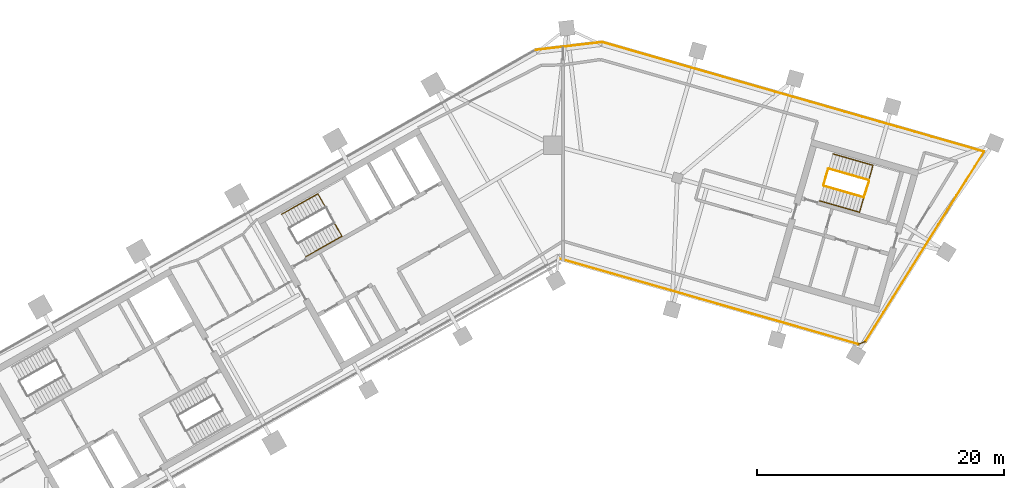
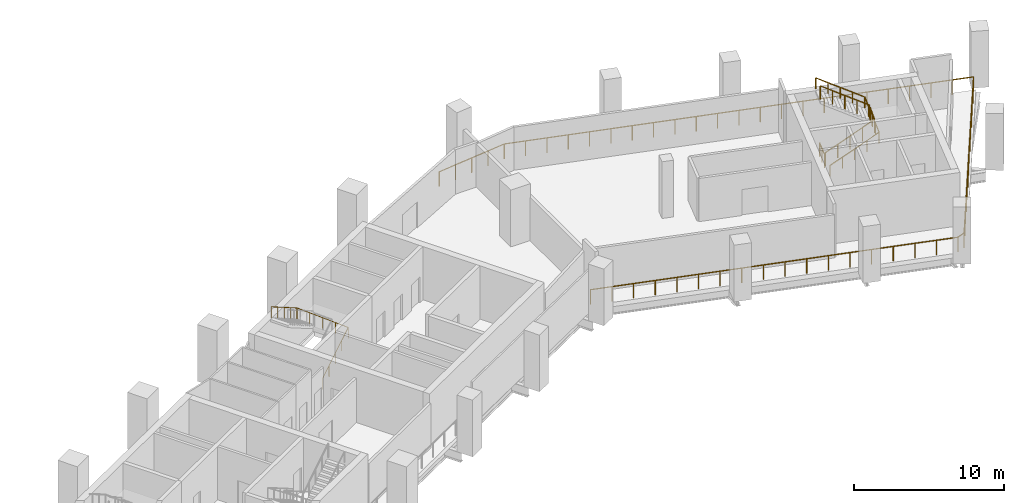
# One storey, part 8 of 8: 10 railings.
"""IFC4 building model written with IfcOpenShell, lengths in metres."""

import ifcopenshell
import ifcopenshell.guid

model = None  # the IFC model being written
_history = None  # IfcOwnerHistory: only IFC2X3 demands one
_inside = {}  # id of a spatial element -> (the spatial element, [elements in it])
_under = {}  # id of a project, library or spatial element -> (it, [spatial elements below it])
_declared = {}  # id of a project -> (the project, [libraries it declares])
_typed = {}  # id of a type object -> (the type object, [elements of that type])
_made_of = {}  # id of a material, layer set ... -> (it, [elements and type objects made of it])


def new_model(schema):
    """Start an empty IFC model of exactly this schema.

    Asked for "IFC4X3", IfcOpenShell would pick the latest addendum, in which some entities
    have other attributes; the version numbers below select the first issue.
    IFC2X3 requires an IfcOwnerHistory on every rooted entity: one is made here for all.
    """
    global model, _history
    if schema == "IFC4X3":
        model = ifcopenshell.file(schema_version=(4, 3, 0, 0))
    else:
        model = ifcopenshell.file(schema=schema)
    _inside.clear()
    _under.clear()
    _declared.clear()
    _typed.clear()
    _made_of.clear()
    _history = None
    if model.schema == "IFC2X3":
        org = make("IfcOrganization", Name="unknown")
        user = make(
            "IfcPersonAndOrganization",
            ThePerson=make("IfcPerson", FamilyName="unknown"),
            TheOrganization=org,
        )
        app = make(
            "IfcApplication",
            ApplicationDeveloper=org,
            Version="unknown",
            ApplicationFullName="unknown",
            ApplicationIdentifier="unknown",
        )
        _history = make(
            "IfcOwnerHistory",
            OwningUser=user,
            OwningApplication=app,
            ChangeAction="ADDED",
            CreationDate=0,
        )
    return model


def make(cls, **values):
    """One entity of the class cls with the attributes given. An attribute that is None is left unset."""
    return model.create_entity(
        cls, **{name: value for name, value in values.items() if value is not None}
    )


def rooted(cls, **values):
    """An entity with a GlobalId (a new one), such as an element, a storey or a relation."""
    return make(cls, GlobalId=ifcopenshell.guid.new(), OwnerHistory=_history, **values)


def si_unit(unit_type, name, prefix=None):
    """IfcSIUnit, for example si_unit("LENGTHUNIT", "METRE", prefix="MILLI")."""
    return make("IfcSIUnit", UnitType=unit_type, Prefix=prefix, Name=name)


def assignment(units):
    """IfcUnitAssignment: the units of a project."""
    return None if units is None else make("IfcUnitAssignment", Units=units)


def point(xyz):
    """IfcCartesianPoint."""
    return None if xyz is None else make("IfcCartesianPoint", Coordinates=xyz)


def direction(xyz):
    """IfcDirection."""
    return None if xyz is None else make("IfcDirection", DirectionRatios=xyz)


def frame(location, z_axis=None, x_axis=None):
    """IfcAxis2Placement3D, a coordinate frame: its origin and axes. An axis left out is left unset."""
    return make(
        "IfcAxis2Placement3D",
        Location=point(location),
        Axis=direction(z_axis),
        RefDirection=direction(x_axis),
    )


def frame_2d(location, x_axis=None):
    """IfcAxis2Placement2D, a coordinate frame in the plane: its origin and x axis."""
    return make(
        "IfcAxis2Placement2D", Location=point(location), RefDirection=direction(x_axis)
    )


def origin():
    """The frame at (0, 0, 0) with its axes left unset."""
    return frame((0.0, 0.0, 0.0))


def origin_2d():
    """The frame at (0, 0) in the plane with its x axis left unset."""
    return frame_2d((0.0, 0.0))


def place(relative_to, where):
    """IfcLocalPlacement: puts the frame where relative to a parent placement (None: the world)."""
    return make(
        "IfcLocalPlacement", PlacementRelTo=relative_to, RelativePlacement=where
    )


def context(
    kind, dimensions, precision=None, world=None, true_north=None, identifier=None
):
    """IfcGeometricRepresentationContext, for example the 3D "Model" context."""
    return make(
        "IfcGeometricRepresentationContext",
        ContextIdentifier=identifier,
        ContextType=kind,
        CoordinateSpaceDimension=dimensions,
        Precision=precision,
        WorldCoordinateSystem=world,
        TrueNorth=true_north,
    )


def subcontext(parent, identifier, kind, view, scale=None):
    """IfcGeometricRepresentationSubContext, for example "Body" below "Model"."""
    return make(
        "IfcGeometricRepresentationSubContext",
        ContextIdentifier=identifier,
        ContextType=kind,
        ParentContext=parent,
        TargetScale=scale,
        TargetView=view,
    )


def project(units=None, contexts=None):
    """IfcProject with its units and contexts."""
    return rooted(
        "IfcProject",
        Name="project",
        RepresentationContexts=contexts,
        UnitsInContext=assignment(units),
    )


def spatial(cls, under=None, at=None, **own):
    """A site, building, storey or space (cls), placed at a placement, below another one or the project."""
    s = rooted(cls, ObjectPlacement=at, **own)
    if under is not None:
        _under.setdefault(under.id(), (under, []))[1].append(s)
    return s


def profile(cls, at=None, kind="AREA", **sizes):
    """A parametric profile (cls). Its sizes go by their IFC names, for example OverallWidth=200.0."""
    return make(cls, ProfileType=kind, Position=at, **sizes)


def circle(**sizes):
    """IfcCircleProfileDef."""
    return profile("IfcCircleProfileDef", **sizes)


def extrude(swept, where, along, depth):
    """IfcExtrudedAreaSolid: the profile swept, set in the frame where, extruded along a direction by depth."""
    return make(
        "IfcExtrudedAreaSolid",
        SweptArea=swept,
        Position=where,
        ExtrudedDirection=direction(along),
        Depth=depth,
    )


def shape(context_of_items, identifier, shape_type, items):
    """IfcShapeRepresentation: the items that make up one representation, for example the "Body"."""
    return make(
        "IfcShapeRepresentation",
        ContextOfItems=context_of_items,
        RepresentationIdentifier=identifier,
        RepresentationType=shape_type,
        Items=items,
    )


def material(Name=None, Category=None):
    """IfcMaterial."""
    return make("IfcMaterial", Name=Name, Category=Category)


def made_of(thing, what):
    """Note that an element or type object is made of a material, layer set ...; save() writes the relation."""
    if what is not None:
        _made_of.setdefault(what.id(), (what, []))[1].append(thing)
    return thing


def type_object(cls, material=None, **own):
    """A type object (cls), such as IfcWallType, which elements share."""
    return made_of(rooted(cls, **own), material)


def element(
    cls,
    number,
    at=None,
    inside=None,
    cuts=None,
    type_object=None,
    material=None,
    context=None,
    identifier="Body",
    shape_type=None,
    held_by="IfcProductDefinitionShape",
    body=None,
    shapes=None,
    **own,
):
    """One element of the class cls, such as IfcWall. Its Tag is "e" and its number.

    at: its placement. inside: the storey or other place that contains it. cuts: it is an
    opening in that element (IfcRelVoidsElement). A single representation is given by context,
    identifier, shape_type and body (its items); several are given by shapes. held_by: the class
    of the entity that holds the representations. save() writes the other relations.
    """
    e = rooted(cls, Tag="e%d" % number, ObjectPlacement=at, **own)
    if body is not None:
        shapes = [shape(context, identifier, shape_type, body)]
    if shapes is not None:
        e.Representation = make(held_by, Representations=shapes)
    if inside is not None:
        _inside.setdefault(inside.id(), (inside, []))[1].append(e)
    if cuts is not None:
        rooted(
            "IfcRelVoidsElement", RelatingBuildingElement=cuts, RelatedOpeningElement=e
        )
    if type_object is not None:
        _typed.setdefault(type_object.id(), (type_object, []))[1].append(e)
    return made_of(e, material)


def aggregate(whole, parts):
    """IfcRelAggregates: a whole, such as a stair, and the parts it consists of."""
    return rooted("IfcRelAggregates", RelatingObject=whole, RelatedObjects=parts)


def save(model, path):
    """Write the relations noted so far, then the file.

    IfcRelAggregates (storeys below a building ...), IfcRelContainedInSpatialStructure (elements
    in a storey), IfcRelDefinesByType, IfcRelAssociatesMaterial and IfcRelDeclares: one each for
    every whole, place, type object, material and project.
    """
    for whole, parts in _under.values():
        aggregate(whole, parts)
    for where, things in _inside.values():
        rooted(
            "IfcRelContainedInSpatialStructure",
            RelatedElements=things,
            RelatingStructure=where,
        )
    for kind, things in _typed.values():
        rooted("IfcRelDefinesByType", RelatedObjects=things, RelatingType=kind)
    for what, things in _made_of.values():
        rooted("IfcRelAssociatesMaterial", RelatedObjects=things, RelatingMaterial=what)
    for by, libraries in _declared.values():
        rooted("IfcRelDeclares", RelatingContext=by, RelatedDefinitions=libraries)
    model.write(path)


model = new_model("IFC4")

# Units and contexts
model_context = context("Model", 3, precision=1e-05, world=origin(), true_north=direction((0.0, 1.0)))
body_context = subcontext(model_context, "Body", "Model", "MODEL_VIEW")
ifc_project = project(units=[si_unit("LENGTHUNIT", "METRE"), si_unit("AREAUNIT", "SQUARE_METRE"), si_unit("VOLUMEUNIT", "CUBIC_METRE"), si_unit("PLANEANGLEUNIT", "RADIAN"), si_unit("MASSUNIT", "GRAM", prefix="KILO")], contexts=[model_context])

# Site, building, storey
site_placement = place(None, origin())
site = spatial("IfcSite", under=ifc_project, at=site_placement, CompositionType="ELEMENT")
building_placement = place(site_placement, origin())
building = spatial("IfcBuilding", under=site, at=building_placement, Name="Binnacle Exchange Tower", CompositionType="ELEMENT")
storey_placement = place(building_placement, frame((0.0, 0.0, 202.89990234375)))
storey = spatial("IfcBuildingStorey", under=building, at=storey_placement, Name="L44", CompositionType="ELEMENT", Elevation=202.89990234375)

# Railings
ifc_material_1 = material(Name="Bronze anodised aluminium frame", Category="aluminium")
railing_type_1 = type_object("IfcRailingType", Name="GUARD 1200", PredefinedType="GUARDRAIL", material=ifc_material_1)
railing_1_placement = place(storey_placement, frame((-2.205322265625, 67.70751953125, 0.0)))
element("IfcRailing", 1, at=railing_1_placement, inside=storey, type_object=railing_type_1, Name="Slab edge guard 3 L44", PredefinedType="GUARDRAIL", context=body_context, shape_type="SweptSolid", body=[
    extrude(circle(Radius=0.02392578125, at=origin_2d()), frame((0.0, 0.0, 1.17578125), z_axis=(0.993065925604, 0.117558782763, 0.0), x_axis=(-0.117558782763, 0.993065925604, 0.0)), (0.0, 0.0, 1.0), 5.38916015625),
    extrude(circle(Radius=0.02099609375, at=origin_2d()), origin(), (0.0, 0.0, 1.0), 1.15185546875),
    extrude(circle(Radius=0.02099609375, at=origin_2d()), frame((1.337890625, 0.158447265625, 0.0)), (0.0, 0.0, 1.0), 1.15185546875),
    extrude(circle(Radius=0.02099609375, at=origin_2d()), frame((2.67578125, 0.31689453125, 0.0)), (0.0, 0.0, 1.0), 1.15185546875),
    extrude(circle(Radius=0.02099609375, at=origin_2d()), frame((4.013916015625, 0.47509765625, 0.0)), (0.0, 0.0, 1.0), 1.15185546875),
    extrude(circle(Radius=0.02099609375, at=origin_2d()), frame((5.351806640625, 0.633544921875, 0.0)), (0.0, 0.0, 1.0), 1.15185546875),
])
railing_2_placement = place(storey_placement, frame((3.146484375, 68.341064453125, 0.0)))
element("IfcRailing", 2, at=railing_2_placement, inside=storey, type_object=railing_type_1, Name="Slab edge guard 4 L44", PredefinedType="GUARDRAIL", context=body_context, shape_type="SweptSolid", body=[
    extrude(circle(Radius=0.02392578125, at=origin_2d()), frame((0.0, 0.0, 1.17578125), z_axis=(0.96126066712, -0.275640943708, 0.0), x_axis=(0.275640943708, 0.96126066712, 0.0)), (0.0, 0.0, 1.0), 32.141845703125),
    extrude(circle(Radius=0.02099609375, at=origin_2d()), origin(), (0.0, 0.0, 1.0), 1.15185546875),
    extrude(circle(Radius=0.02099609375, at=origin_2d()), frame((1.404296875, -0.40283203125, 0.0)), (0.0, 0.0, 1.0), 1.15185546875),
    extrude(circle(Radius=0.02099609375, at=origin_2d()), frame((2.808837890625, -0.805419921875, 0.0)), (0.0, 0.0, 1.0), 1.15185546875),
    extrude(circle(Radius=0.02099609375, at=origin_2d()), frame((4.213134765625, -1.2080078125, 0.0)), (0.0, 0.0, 1.0), 1.15185546875),
    extrude(circle(Radius=0.02099609375, at=origin_2d()), frame((5.61767578125, -1.61083984375, 0.0)), (0.0, 0.0, 1.0), 1.15185546875),
    extrude(circle(Radius=0.02099609375, at=origin_2d()), frame((7.02197265625, -2.013671875, 0.0)), (0.0, 0.0, 1.0), 1.15185546875),
    extrude(circle(Radius=0.02099609375, at=origin_2d()), frame((8.42626953125, -2.416259765625, 0.0)), (0.0, 0.0, 1.0), 1.15185546875),
    extrude(circle(Radius=0.02099609375, at=origin_2d()), frame((9.830810546875, -2.81884765625, 0.0)), (0.0, 0.0, 1.0), 1.15185546875),
    extrude(circle(Radius=0.02099609375, at=origin_2d()), frame((11.235107421875, -3.2216796875, 0.0)), (0.0, 0.0, 1.0), 1.15185546875),
    extrude(circle(Radius=0.02099609375, at=origin_2d()), frame((12.6396484375, -3.62451171875, 0.0)), (0.0, 0.0, 1.0), 1.15185546875),
    extrude(circle(Radius=0.02099609375, at=origin_2d()), frame((14.0439453125, -4.027099609375, 0.0)), (0.0, 0.0, 1.0), 1.15185546875),
    extrude(circle(Radius=0.02099609375, at=origin_2d()), frame((15.4482421875, -4.4296875, 0.0)), (0.0, 0.0, 1.0), 1.15185546875),
    extrude(circle(Radius=0.02099609375, at=origin_2d()), frame((16.852783203125, -4.83251953125, 0.0)), (0.0, 0.0, 1.0), 1.15185546875),
    extrude(circle(Radius=0.02099609375, at=origin_2d()), frame((18.257080078125, -5.2353515625, 0.0)), (0.0, 0.0, 1.0), 1.15185546875),
    extrude(circle(Radius=0.02099609375, at=origin_2d()), frame((19.66162109375, -5.637939453125, 0.0)), (0.0, 0.0, 1.0), 1.15185546875),
    extrude(circle(Radius=0.02099609375, at=origin_2d()), frame((21.06591796875, -6.04052734375, 0.0)), (0.0, 0.0, 1.0), 1.15185546875),
    extrude(circle(Radius=0.02099609375, at=origin_2d()), frame((22.470458984375, -6.443359375, 0.0)), (0.0, 0.0, 1.0), 1.15185546875),
    extrude(circle(Radius=0.02099609375, at=origin_2d()), frame((23.874755859375, -6.84619140625, 0.0)), (0.0, 0.0, 1.0), 1.15185546875),
    extrude(circle(Radius=0.02099609375, at=origin_2d()), frame((25.279052734375, -7.248779296875, 0.0)), (0.0, 0.0, 1.0), 1.15185546875),
    extrude(circle(Radius=0.02099609375, at=origin_2d()), frame((26.68359375, -7.6513671875, 0.0)), (0.0, 0.0, 1.0), 1.15185546875),
    extrude(circle(Radius=0.02099609375, at=origin_2d()), frame((28.087890625, -8.05419921875, 0.0)), (0.0, 0.0, 1.0), 1.15185546875),
    extrude(circle(Radius=0.02099609375, at=origin_2d()), frame((29.492431640625, -8.45703125, 0.0)), (0.0, 0.0, 1.0), 1.15185546875),
    extrude(circle(Radius=0.02099609375, at=origin_2d()), frame((30.896728515625, -8.859619140625, 0.0)), (0.0, 0.0, 1.0), 1.15185546875),
])
railing_3_placement = place(storey_placement, frame((34.043212890625, 59.4814453125, 0.0)))
element("IfcRailing", 3, at=railing_3_placement, inside=storey, type_object=railing_type_1, Name="Slab edge guard 5 L44", PredefinedType="GUARDRAIL", context=body_context, shape_type="SweptSolid", body=[
    extrude(circle(Radius=0.02392578125, at=origin_2d()), frame((0.0, 0.0, 1.17578125), z_axis=(-0.529910412332, -0.848053627374, 0.0), x_axis=(0.848053627374, -0.529910412332, 0.0)), (0.0, 0.0, 1.0), 18.0966796875),
    extrude(circle(Radius=0.02099609375, at=origin_2d()), origin(), (0.0, 0.0, 1.0), 1.15185546875),
    extrude(circle(Radius=0.02099609375, at=origin_2d()), frame((-0.737548828125, -1.180419921875, 0.0)), (0.0, 0.0, 1.0), 1.15185546875),
    extrude(circle(Radius=0.02099609375, at=origin_2d()), frame((-1.475341796875, -2.361083984375, 0.0)), (0.0, 0.0, 1.0), 1.15185546875),
    extrude(circle(Radius=0.02099609375, at=origin_2d()), frame((-2.212890625, -3.54150390625, 0.0)), (0.0, 0.0, 1.0), 1.15185546875),
    extrude(circle(Radius=0.02099609375, at=origin_2d()), frame((-2.95068359375, -4.72216796875, 0.0)), (0.0, 0.0, 1.0), 1.15185546875),
    extrude(circle(Radius=0.02099609375, at=origin_2d()), frame((-3.688232421875, -5.902587890625, 0.0)), (0.0, 0.0, 1.0), 1.15185546875),
    extrude(circle(Radius=0.02099609375, at=origin_2d()), frame((-4.426025390625, -7.083251953125, 0.0)), (0.0, 0.0, 1.0), 1.15185546875),
    extrude(circle(Radius=0.02099609375, at=origin_2d()), frame((-5.16357421875, -8.263671875, 0.0)), (0.0, 0.0, 1.0), 1.15185546875),
    extrude(circle(Radius=0.02099609375, at=origin_2d()), frame((-5.9013671875, -9.4443359375, 0.0)), (0.0, 0.0, 1.0), 1.15185546875),
    extrude(circle(Radius=0.02099609375, at=origin_2d()), frame((-6.638916015625, -10.624755859375, 0.0)), (0.0, 0.0, 1.0), 1.15185546875),
    extrude(circle(Radius=0.02099609375, at=origin_2d()), frame((-7.376708984375, -11.805419921875, 0.0)), (0.0, 0.0, 1.0), 1.15185546875),
    extrude(circle(Radius=0.02099609375, at=origin_2d()), frame((-8.1142578125, -12.98583984375, 0.0)), (0.0, 0.0, 1.0), 1.15185546875),
    extrude(circle(Radius=0.02099609375, at=origin_2d()), frame((-8.85205078125, -14.16650390625, 0.0)), (0.0, 0.0, 1.0), 1.15185546875),
    extrude(circle(Radius=0.02099609375, at=origin_2d()), frame((-9.589599609375, -15.346923828125, 0.0)), (0.0, 0.0, 1.0), 1.15185546875),
])
railing_4_placement = place(storey_placement, frame((24.45361328125, 44.134521484375, 0.0)))
element("IfcRailing", 4, at=railing_4_placement, inside=storey, type_object=railing_type_1, Name="Slab edge guard 6 L44", PredefinedType="GUARDRAIL", context=body_context, shape_type="SweptSolid", body=[
    extrude(circle(Radius=0.02392578125, at=origin_2d()), frame((0.0, 0.0, 1.17578125), z_axis=(-0.933708977227, -0.35803288375, 0.0), x_axis=(0.35803288375, -0.933708977227, 0.0)), (0.0, 0.0, 1.0), 0.62255859375),
    extrude(circle(Radius=0.02099609375, at=origin_2d()), origin(), (0.0, 0.0, 1.0), 1.15185546875),
    extrude(circle(Radius=0.02099609375, at=origin_2d()), frame((-0.581298828125, -0.222900390625, 0.0)), (0.0, 0.0, 1.0), 1.15185546875),
])
railing_5_placement = place(storey_placement, frame((23.872314453125, 43.91162109375, 0.0)))
element("IfcRailing", 5, at=railing_5_placement, inside=storey, type_object=railing_type_1, Name="Slab edge guard 7 L44", PredefinedType="GUARDRAIL", context=body_context, shape_type="SweptSolid", body=[
    extrude(circle(Radius=0.02392578125, at=origin_2d()), frame((0.0, 0.0, 1.17578125), z_axis=(-0.961264537007, 0.27562744764, 0.0), x_axis=(-0.27562744764, -0.961264537007, 0.0)), (0.0, 0.0, 1.0), 25.185791015625),
    extrude(circle(Radius=0.02099609375, at=origin_2d()), origin(), (0.0, 0.0, 1.0), 1.15185546875),
    extrude(circle(Radius=0.02099609375, at=origin_2d()), frame((-1.424072265625, 0.408447265625, 0.0)), (0.0, 0.0, 1.0), 1.15185546875),
    extrude(circle(Radius=0.02099609375, at=origin_2d()), frame((-2.84814453125, 0.816650390625, 0.0)), (0.0, 0.0, 1.0), 1.15185546875),
    extrude(circle(Radius=0.02099609375, at=origin_2d()), frame((-4.2724609375, 1.22509765625, 0.0)), (0.0, 0.0, 1.0), 1.15185546875),
    extrude(circle(Radius=0.02099609375, at=origin_2d()), frame((-5.696533203125, 1.63330078125, 0.0)), (0.0, 0.0, 1.0), 1.15185546875),
    extrude(circle(Radius=0.02099609375, at=origin_2d()), frame((-7.12060546875, 2.041748046875, 0.0)), (0.0, 0.0, 1.0), 1.15185546875),
    extrude(circle(Radius=0.02099609375, at=origin_2d()), frame((-8.544677734375, 2.4501953125, 0.0)), (0.0, 0.0, 1.0), 1.15185546875),
    extrude(circle(Radius=0.02099609375, at=origin_2d()), frame((-9.968994140625, 2.8583984375, 0.0)), (0.0, 0.0, 1.0), 1.15185546875),
    extrude(circle(Radius=0.02099609375, at=origin_2d()), frame((-11.39306640625, 3.266845703125, 0.0)), (0.0, 0.0, 1.0), 1.15185546875),
    extrude(circle(Radius=0.02099609375, at=origin_2d()), frame((-12.817138671875, 3.675048828125, 0.0)), (0.0, 0.0, 1.0), 1.15185546875),
    extrude(circle(Radius=0.02099609375, at=origin_2d()), frame((-14.2412109375, 4.08349609375, 0.0)), (0.0, 0.0, 1.0), 1.15185546875),
    extrude(circle(Radius=0.02099609375, at=origin_2d()), frame((-15.66552734375, 4.49169921875, 0.0)), (0.0, 0.0, 1.0), 1.15185546875),
    extrude(circle(Radius=0.02099609375, at=origin_2d()), frame((-17.089599609375, 4.900146484375, 0.0)), (0.0, 0.0, 1.0), 1.15185546875),
    extrude(circle(Radius=0.02099609375, at=origin_2d()), frame((-18.513671875, 5.30859375, 0.0)), (0.0, 0.0, 1.0), 1.15185546875),
    extrude(circle(Radius=0.02099609375, at=origin_2d()), frame((-19.937744140625, 5.716796875, 0.0)), (0.0, 0.0, 1.0), 1.15185546875),
    extrude(circle(Radius=0.02099609375, at=origin_2d()), frame((-21.362060546875, 6.125244140625, 0.0)), (0.0, 0.0, 1.0), 1.15185546875),
    extrude(circle(Radius=0.02099609375, at=origin_2d()), frame((-22.7861328125, 6.533447265625, 0.0)), (0.0, 0.0, 1.0), 1.15185546875),
    extrude(circle(Radius=0.02099609375, at=origin_2d()), frame((-24.210205078125, 6.94189453125, 0.0)), (0.0, 0.0, 1.0), 1.15185546875),
])
ifc_material_2 = material(Name="Steel guard rail", Category="steel")
railing_type_2 = type_object("IfcRailingType", Name="STAIR GUARD 1100", PredefinedType="GUARDRAIL", material=ifc_material_2)
railing_6_placement = place(storey_placement, frame((21.086669921875, 56.71044921875, 0.177001953125)))
element("IfcRailing", 6, at=railing_6_placement, inside=storey, type_object=railing_type_2, Name="L44 STD1 stair guard 1", PredefinedType="GUARDRAIL", context=body_context, shape_type="SweptSolid", body=[
    extrude(circle(Radius=0.02392578125, at=origin_2d()), frame((0.0, 0.0, 1.076171875), z_axis=(0.812618363389, -0.233054204452, 0.534169573515), x_axis=(0.27568068152, 0.961249271436, 0.0)), (0.0, 0.0, 1.0), 3.974365234375),
    extrude(circle(Radius=0.02392578125, at=origin_2d()), frame((3.229736328125, -0.92626953125, 3.19921875), z_axis=(0.309842533299, 0.950787886208, 0.0), x_axis=(-0.950787886208, 0.309842533299, 0.0)), (0.0, 0.0, 1.0), 1.40087890625),
    extrude(circle(Radius=0.02099609375, at=origin_2d()), origin(), (0.0, 0.0, 1.0), 1.052001953125),
    extrude(circle(Radius=0.02099609375, at=origin_2d()), frame((0.807373046875, -0.2314453125, 0.53076171875)), (0.0, 0.0, 1.0), 1.052001953125),
    extrude(circle(Radius=0.02099609375, at=origin_2d()), frame((1.61474609375, -0.463134765625, 1.0615234375)), (0.0, 0.0, 1.0), 1.052001953125),
    extrude(circle(Radius=0.02099609375, at=origin_2d()), frame((2.42236328125, -0.69482421875, 1.59228515625)), (0.0, 0.0, 1.0), 1.052001953125),
    extrude(circle(Radius=0.02099609375, at=origin_2d()), frame((3.229736328125, -0.92626953125, 2.123046875)), (0.0, 0.0, 1.0), 1.052001953125),
    extrude(circle(Radius=0.02099609375, at=origin_2d()), frame((3.44677734375, -0.26025390625, 2.123046875)), (0.0, 0.0, 1.0), 1.052001953125),
    extrude(circle(Radius=0.02099609375, at=origin_2d()), frame((3.663818359375, 0.40576171875, 2.123046875)), (0.0, 0.0, 1.0), 1.052001953125),
])
railing_7_placement = place(storey_placement, frame((24.716064453125, 57.177978515625, 2.47705078125)))
element("IfcRailing", 7, at=railing_7_placement, inside=storey, type_object=railing_type_2, Name="L44 STD1 stair guard 2", PredefinedType="GUARDRAIL", context=body_context, shape_type="SweptSolid", body=[
    extrude(circle(Radius=0.02392578125, at=origin_2d()), frame((0.0, 0.0, 1.076171875), z_axis=(-0.812618363389, 0.233054204452, 0.534169573515), x_axis=(-0.27568068152, -0.961249271436, 0.0)), (0.0, 0.0, 1.0), 3.974365234375),
    extrude(circle(Radius=0.02099609375, at=origin_2d()), origin(), (0.0, 0.0, 1.0), 1.052001953125),
    extrude(circle(Radius=0.02099609375, at=origin_2d()), frame((-0.807373046875, 0.2314453125, 0.53076171875)), (0.0, 0.0, 1.0), 1.052001953125),
    extrude(circle(Radius=0.02099609375, at=origin_2d()), frame((-1.61474609375, 0.463134765625, 1.0615234375)), (0.0, 0.0, 1.0), 1.052001953125),
    extrude(circle(Radius=0.02099609375, at=origin_2d()), frame((-2.42236328125, 0.69482421875, 1.59228515625)), (0.0, 0.0, 1.0), 1.052001953125),
    extrude(circle(Radius=0.02099609375, at=origin_2d()), frame((-3.229736328125, 0.92626953125, 2.123046875)), (0.0, 0.0, 1.0), 1.052001953125),
])
railing_8_placement = place(storey_placement, frame((21.05224609375, 56.772216796875, 0.0)))
element("IfcRailing", 8, at=railing_8_placement, inside=storey, type_object=railing_type_2, Name="L44 STD1 stair guard 3", PredefinedType="GUARDRAIL", context=body_context, shape_type="SweptSolid", body=[
    extrude(circle(Radius=0.02392578125, at=origin_2d()), frame((0.0, 0.0, 1.076171875), z_axis=(0.275795817769, 0.961216243569, 0.0), x_axis=(-0.961216243569, 0.275795817769, 0.0)), (0.0, 0.0, 1.0), 1.349853515625),
    extrude(circle(Radius=0.02099609375, at=origin_2d()), origin(), (0.0, 0.0, 1.0), 1.052001953125),
    extrude(circle(Radius=0.02099609375, at=origin_2d()), frame((0.18603515625, 0.64892578125, 0.0)), (0.0, 0.0, 1.0), 1.052001953125),
    extrude(circle(Radius=0.02099609375, at=origin_2d()), frame((0.372314453125, 1.297607421875, 0.0)), (0.0, 0.0, 1.0), 1.052001953125),
])
ifc_material_3 = material(Name="Steel handrail", Category="steel")
railing_type_3 = type_object("IfcRailingType", Name="STAIR HANDRAIL 900", PredefinedType="HANDRAIL", material=ifc_material_3)
railing_9_placement = place(storey_placement, frame((-20.808349609375, 50.984619140625, 0.177001953125)))
element("IfcRailing", 9, at=railing_9_placement, inside=storey, type_object=railing_type_3, Name="L44 STC1 stair handrail 1", PredefinedType="HANDRAIL", context=body_context, shape_type="SweptSolid", body=[
    extrude(circle(Radius=0.02392578125, at=origin_2d()), frame((0.0, 0.0, 0.8759765625), z_axis=(0.735802224044, 0.4162727834, 0.5341461007), x_axis=(-0.49240197835, 0.870367905955, 0.0)), (0.0, 0.0, 1.0), 3.974609375),
    extrude(circle(Radius=0.02392578125, at=origin_2d()), frame((2.924560546875, 1.654541015625, 2.9990234375), z_axis=(-0.491920001559, 0.869488824145, 0.044764905376), x_axis=(-0.870361318571, -0.492413622004, 0.0)), (0.0, 0.0, 1.0), 3.9541015625),
    extrude(circle(Radius=0.02392578125, at=origin_2d()), frame((0.9794921875, 5.092529296875, 3.17578125), z_axis=(-0.735802224044, -0.4162727834, 0.5341461007), x_axis=(0.49240197835, -0.870367905955, 0.0)), (0.0, 0.0, 1.0), 3.974609375),
    extrude(circle(Radius=0.02099609375, at=origin_2d()), origin(), (0.0, 0.0, 1.0), 0.851806640625),
    extrude(circle(Radius=0.02099609375, at=origin_2d()), frame((0.731201171875, 0.41357421875, 0.53076171875)), (0.0, 0.0, 1.0), 0.851806640625),
    extrude(circle(Radius=0.02099609375, at=origin_2d()), frame((1.46240234375, 0.8271484375, 1.0615234375)), (0.0, 0.0, 1.0), 0.851806640625),
    extrude(circle(Radius=0.02099609375, at=origin_2d()), frame((2.193359375, 1.240966796875, 1.59228515625)), (0.0, 0.0, 1.0), 0.851806640625),
    extrude(circle(Radius=0.02099609375, at=origin_2d()), frame((2.924560546875, 1.654541015625, 2.123046875)), (0.0, 0.0, 1.0), 0.851806640625),
    extrude(circle(Radius=0.02099609375, at=origin_2d()), frame((2.438232421875, 2.51416015625, 2.167236328125)), (0.0, 0.0, 1.0), 0.851806640625),
    extrude(circle(Radius=0.02099609375, at=origin_2d()), frame((1.9521484375, 3.37353515625, 2.21142578125)), (0.0, 0.0, 1.0), 0.851806640625),
    extrude(circle(Radius=0.02099609375, at=origin_2d()), frame((1.4658203125, 4.23291015625, 2.255859375)), (0.0, 0.0, 1.0), 0.851806640625),
    extrude(circle(Radius=0.02099609375, at=origin_2d()), frame((0.9794921875, 5.092529296875, 2.300048828125)), (0.0, 0.0, 1.0), 0.851806640625),
    extrude(circle(Radius=0.02099609375, at=origin_2d()), frame((0.248291015625, 4.678955078125, 2.830810546875)), (0.0, 0.0, 1.0), 0.851806640625),
    extrude(circle(Radius=0.02099609375, at=origin_2d()), frame((-0.48291015625, 4.26513671875, 3.361572265625)), (0.0, 0.0, 1.0), 0.851806640625),
    extrude(circle(Radius=0.02099609375, at=origin_2d()), frame((-1.2138671875, 3.8515625, 3.892333984375)), (0.0, 0.0, 1.0), 0.851806640625),
    extrude(circle(Radius=0.02099609375, at=origin_2d()), frame((-1.945068359375, 3.43798828125, 4.423095703125)), (0.0, 0.0, 1.0), 0.851806640625),
])
railing_10_placement = place(storey_placement, frame((20.7421875, 55.5087890625, 0.177001953125)))
element("IfcRailing", 10, at=railing_10_placement, inside=storey, type_object=railing_type_3, Name="L44 STD1 stair handrail 1", PredefinedType="HANDRAIL", context=body_context, shape_type="SweptSolid", body=[
    extrude(circle(Radius=0.02392578125, at=origin_2d()), frame((0.0, 0.0, 0.8759765625), z_axis=(0.812618363389, -0.233054204452, 0.534169573515), x_axis=(0.27568068152, 0.961249271436, 0.0)), (0.0, 0.0, 1.0), 3.974365234375),
    extrude(circle(Radius=0.02392578125, at=origin_2d()), frame((3.229736328125, -0.92626953125, 2.9990234375), z_axis=(0.275375262013, 0.960294047104, 0.04476391591), x_axis=(-0.961257617982, 0.275651576943, 0.0)), (0.0, 0.0, 1.0), 3.9541015625),
    extrude(circle(Radius=0.02392578125, at=origin_2d()), frame((4.318603515625, 2.870849609375, 3.17578125), z_axis=(-0.812650856769, 0.232984482217, 0.534150555591), x_axis=(-0.275594289407, -0.961274043989, 0.0)), (0.0, 0.0, 1.0), 3.974609375),
    extrude(circle(Radius=0.02099609375, at=origin_2d()), origin(), (0.0, 0.0, 1.0), 0.851806640625),
    extrude(circle(Radius=0.02099609375, at=origin_2d()), frame((0.807373046875, -0.2314453125, 0.53076171875)), (0.0, 0.0, 1.0), 0.851806640625),
    extrude(circle(Radius=0.02099609375, at=origin_2d()), frame((1.61474609375, -0.463134765625, 1.0615234375)), (0.0, 0.0, 1.0), 0.851806640625),
    extrude(circle(Radius=0.02099609375, at=origin_2d()), frame((2.42236328125, -0.69482421875, 1.59228515625)), (0.0, 0.0, 1.0), 0.851806640625),
    extrude(circle(Radius=0.02099609375, at=origin_2d()), frame((3.229736328125, -0.92626953125, 2.123046875)), (0.0, 0.0, 1.0), 0.851806640625),
    extrude(circle(Radius=0.02099609375, at=origin_2d()), frame((3.501953125, 0.02294921875, 2.167236328125)), (0.0, 0.0, 1.0), 0.851806640625),
    extrude(circle(Radius=0.02099609375, at=origin_2d()), frame((3.774169921875, 0.97216796875, 2.21142578125)), (0.0, 0.0, 1.0), 0.851806640625),
    extrude(circle(Radius=0.02099609375, at=origin_2d()), frame((4.04638671875, 1.921630859375, 2.255859375)), (0.0, 0.0, 1.0), 0.851806640625),
    extrude(circle(Radius=0.02099609375, at=origin_2d()), frame((4.318603515625, 2.870849609375, 2.300048828125)), (0.0, 0.0, 1.0), 0.851806640625),
    extrude(circle(Radius=0.02099609375, at=origin_2d()), frame((3.51123046875, 3.102294921875, 2.830810546875)), (0.0, 0.0, 1.0), 0.851806640625),
    extrude(circle(Radius=0.02099609375, at=origin_2d()), frame((2.70361328125, 3.333984375, 3.361572265625)), (0.0, 0.0, 1.0), 0.851806640625),
    extrude(circle(Radius=0.02099609375, at=origin_2d()), frame((1.89599609375, 3.5654296875, 3.892333984375)), (0.0, 0.0, 1.0), 0.851806640625),
    extrude(circle(Radius=0.02099609375, at=origin_2d()), frame((1.088623046875, 3.796875, 4.423095703125)), (0.0, 0.0, 1.0), 0.851806640625),
])

save(model, "model.ifc")
